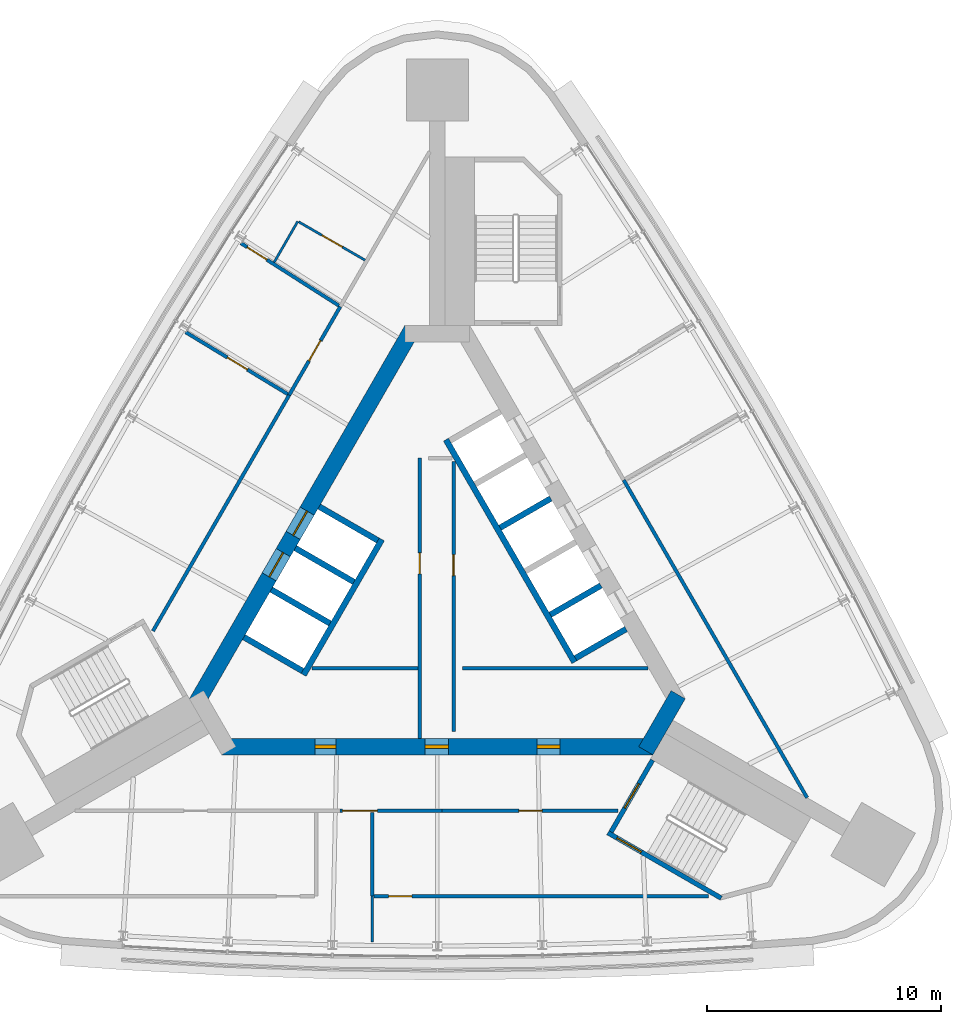
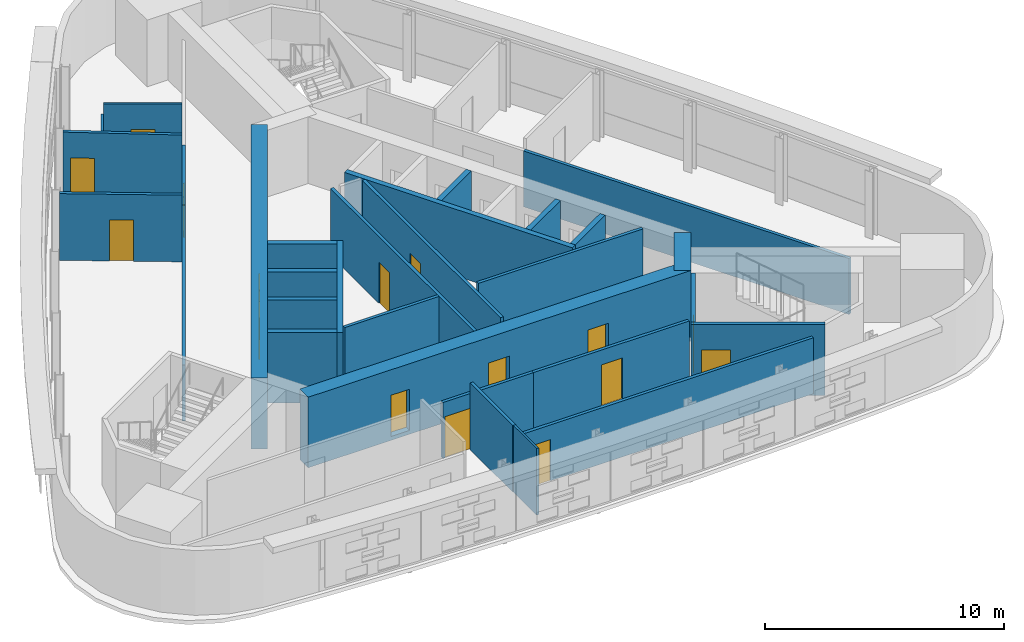
# One storey, part 7 of 11: 30 walls, 16 doors, 16 openings.
"""IFC4 building model written with IfcOpenShell, lengths in metres."""

from ifc_helpers import new_model, si_unit, direction, frame, frame_2d, origin, place, context, subcontext, project, spatial, rectangle, extrude, material, layer, layer_set, type_object, element, fill, save


model = new_model("IFC4")

# Units and contexts
model_context = context("Model", 3, precision=1e-05, world=origin(), true_north=direction((0.0, 1.0)))
body_context = subcontext(model_context, "Body", "Model", "MODEL_VIEW")
ifc_project = project(units=[si_unit("LENGTHUNIT", "METRE"), si_unit("AREAUNIT", "SQUARE_METRE"), si_unit("VOLUMEUNIT", "CUBIC_METRE"), si_unit("PLANEANGLEUNIT", "RADIAN"), si_unit("MASSUNIT", "GRAM", prefix="KILO")], contexts=[model_context])

# Site, building, storey
site_placement = place(None, origin())
site = spatial("IfcSite", under=ifc_project, at=site_placement, CompositionType="ELEMENT")
building_placement = place(site_placement, origin())
building = spatial("IfcBuilding", under=site, at=building_placement, Name="Noor Cloister Tower", CompositionType="ELEMENT")
storey_placement = place(building_placement, frame((0.0, 0.0, 203.10009765625)))
storey = spatial("IfcBuildingStorey", under=building, at=storey_placement, Name="L52", CompositionType="ELEMENT", Elevation=203.10009765625)

# Wall
ifc_material_1 = material(Name="Concrete C30/37", Category="concrete")
ifc_layer_1 = layer(ifc_material_1, 0.14990234375)
ifc_layer_set_1 = layer_set([ifc_layer_1], Name="Core partition 150 C30/37")
wall_type_1 = type_object("IfcWallType", Name="Core partition 150 C30/37", PredefinedType="PARTITIONING", material=ifc_layer_set_1)
wall_1_placement = place(storey_placement, frame((-5.373291015625, -3.228271484375, 0.0), z_axis=(0.0, 0.0, 1.0), x_axis=(1.0, 0.0, 0.0)))
element("IfcWall", 1, at=wall_1_placement, inside=storey, type_object=wall_type_1, Name="Core room partition L52 1", PredefinedType="PARTITIONING", context=body_context, shape_type="SweptSolid", body=[
    extrude(rectangle(XDim=4.544677734375, YDim=0.14990234375, at=frame_2d((2.2724609375, 0.0))), origin(), (0.0, 0.0, 1.0), 3.39990234375),
])

# Wall, opening, door
wall_2_placement = place(storey_placement, frame((-0.753662109375, 5.771728515625, 0.0), z_axis=(0.0, 0.0, 1.0), x_axis=(0.0, -1.0, 0.0)))
wall_2 = element("IfcWall", 2, at=wall_2_placement, inside=storey, type_object=wall_type_1, Name="Core room partition L52 2", PredefinedType="PARTITIONING", context=body_context, shape_type="SweptSolid", body=[
    extrude(rectangle(XDim=12.0, YDim=0.14990234375, at=frame_2d((6.0, 0.0))), origin(), (0.0, 0.0, 1.0), 3.39990234375),
])
opening_1_placement = place(wall_2_placement, frame((4.051025390625, 0.0, 0.0)))
opening_1 = element("IfcOpeningElement", 3, at=opening_1_placement, cuts=wall_2, Name="Opening L52-904", PredefinedType="OPENING", context=body_context, shape_type="SweptSolid", body=[
    extrude(rectangle(XDim=0.89990234375, YDim=2.10009765625, at=frame_2d((0.449951171875, 1.050048828125))), frame((0.0, 0.0849609375, 0.0), z_axis=(0.0, -1.0, 0.0), x_axis=(1.0, 0.0, 0.0)), (0.0, 0.0, 1.0), 0.169921875),
])
ifc_material_2 = material(Name="Steel", Category="steel")
door_type_1 = type_object("IfcDoorType", Name="Core door 900 x 2100 FD120", OperationType="SINGLE_SWING_LEFT", PredefinedType="DOOR", material=ifc_material_2)
door_1_placement = place(opening_1_placement, origin())
door_1 = element("IfcDoor", 4, at=door_1_placement, inside=storey, type_object=door_type_1, Name="Core door 4 L52", OperationType="SINGLE_SWING_RIGHT", OverallHeight=2.10009765625, OverallWidth=0.89990234375, PredefinedType="DOOR", context=body_context, shape_type="SweptSolid", body=[
    extrude(rectangle(XDim=0.89990234375, YDim=2.10009765625, at=frame_2d((0.449951171875, 1.050048828125))), frame((0.0, 0.02490234375, 0.0), z_axis=(0.0, -1.0, 0.0), x_axis=(1.0, 0.0, 0.0)), (0.0, 0.0, 1.0), 0.050048828125),
])
fill(opening_1, door_1)

wall_3_placement = place(storey_placement, frame((0.6962890625, -5.92822265625, 0.0), z_axis=(0.0, 0.0, 1.0), x_axis=(0.0, 1.0, 0.0)))
wall_3 = element("IfcWall", 5, at=wall_3_placement, inside=storey, type_object=wall_type_1, Name="Core room partition L52 4", PredefinedType="PARTITIONING", context=body_context, shape_type="SweptSolid", body=[
    extrude(rectangle(XDim=11.548583984375, YDim=0.14990234375, at=frame_2d((5.7744140625, 0.0))), origin(), (0.0, 0.0, 1.0), 3.39990234375),
])
opening_2_placement = place(wall_3_placement, frame((6.67333984375, 0.0, 0.0)))
opening_2 = element("IfcOpeningElement", 6, at=opening_2_placement, cuts=wall_3, Name="Opening L52-905", PredefinedType="OPENING", context=body_context, shape_type="SweptSolid", body=[
    extrude(rectangle(XDim=0.89990234375, YDim=2.10009765625, at=frame_2d((0.449951171875, 1.050048828125))), frame((0.0, 0.0849609375, 0.0), z_axis=(0.0, -1.0, 0.0), x_axis=(1.0, 0.0, 0.0)), (0.0, 0.0, 1.0), 0.169921875),
])
door_2_placement = place(opening_2_placement, origin())
door_2 = element("IfcDoor", 7, at=door_2_placement, inside=storey, type_object=door_type_1, Name="Core door 5 L52", OperationType="SINGLE_SWING_LEFT", OverallHeight=2.10009765625, OverallWidth=0.89990234375, PredefinedType="DOOR", context=body_context, shape_type="SweptSolid", body=[
    extrude(rectangle(XDim=0.89990234375, YDim=2.10009765625, at=frame_2d((0.449951171875, 1.050048828125))), frame((0.0, 0.02490234375, 0.0), z_axis=(0.0, -1.0, 0.0), x_axis=(1.0, 0.0, 0.0)), (0.0, 0.0, 1.0), 0.050048828125),
])
fill(opening_2, door_2)

# Wall
wall_4_placement = place(storey_placement, frame((1.0712890625, -3.228271484375, 0.0), z_axis=(0.0, 0.0, 1.0), x_axis=(1.0, 0.0, 0.0)))
element("IfcWall", 8, at=wall_4_placement, inside=storey, type_object=wall_type_1, Name="Core room partition L52 5", PredefinedType="PARTITIONING", context=body_context, shape_type="SweptSolid", body=[
    extrude(rectangle(XDim=7.939208984375, YDim=0.14990234375, at=frame_2d((3.9697265625, 0.0))), origin(), (0.0, 0.0, 1.0), 3.39990234375),
])

# Wall, openings, doors
ifc_material_3 = material(Name="Concrete C70/85", Category="concrete")
ifc_layer_2 = layer(ifc_material_3, 0.699951171875)
ifc_layer_set_2 = layer_set([ifc_layer_2], Name="Core wall 700 C70/85")
wall_type_2 = type_object("IfcWallType", Name="Core wall 700 C70/85", PredefinedType="SHEAR", material=ifc_layer_set_2)
wall_5_placement = place(storey_placement, frame((-9.228759765625, -6.578125, -0.2001953125), z_axis=(0.0, 0.0, 1.0), x_axis=(1.0, 0.0, 0.0)))
wall_5 = element("IfcWall", 9, at=wall_5_placement, inside=storey, type_object=wall_type_2, Name="Core wall L52 1", PredefinedType="SHEAR", context=body_context, shape_type="SweptSolid", body=[
    extrude(rectangle(XDim=18.45751953125, YDim=0.699951171875, at=frame_2d((9.228759765625, 0.0))), origin(), (0.0, 0.0, 1.0), 3.60009765625),
])
opening_3_placement = place(wall_5_placement, frame((8.699951171875, 0.0, 0.199951171875)))
opening_3 = element("IfcOpeningElement", 10, at=opening_3_placement, cuts=wall_5, Name="Opening L52-901", PredefinedType="OPENING", context=body_context, shape_type="SweptSolid", body=[
    extrude(rectangle(XDim=1.0, YDim=2.10009765625, at=frame_2d((0.5, 1.050048828125))), frame((0.0, 0.35986328125, 0.0), z_axis=(0.0, -1.0, 0.0), x_axis=(1.0, 0.0, 0.0)), (0.0, 0.0, 1.0), 0.719970703125),
])
opening_4_placement = place(wall_5_placement, frame((3.989501953125, 0.0, 0.199951171875)))
opening_4 = element("IfcOpeningElement", 11, at=opening_4_placement, cuts=wall_5, Name="Opening L52-902", PredefinedType="OPENING", context=body_context, shape_type="SweptSolid", body=[
    extrude(rectangle(XDim=0.89990234375, YDim=2.10009765625, at=frame_2d((0.449951171875, 1.050048828125))), frame((0.0, 0.35986328125, 0.0), z_axis=(0.0, -1.0, 0.0), x_axis=(1.0, 0.0, 0.0)), (0.0, 0.0, 1.0), 0.719970703125),
])
opening_5_placement = place(wall_5_placement, frame((13.489013671875, 0.0, 0.199951171875)))
opening_5 = element("IfcOpeningElement", 12, at=opening_5_placement, cuts=wall_5, Name="Opening L52-903", PredefinedType="OPENING", context=body_context, shape_type="SweptSolid", body=[
    extrude(rectangle(XDim=1.0, YDim=2.10009765625, at=frame_2d((0.5, 1.050048828125))), frame((0.0, 0.35986328125, 0.0), z_axis=(0.0, -1.0, 0.0), x_axis=(1.0, 0.0, 0.0)), (0.0, 0.0, 1.0), 0.719970703125),
])
ifc_material_4 = material(Name="Steel", Category="steel")
door_type_2 = type_object("IfcDoorType", Name="Core door 1000 x 2100 FD120", OperationType="SINGLE_SWING_LEFT", PredefinedType="DOOR", material=ifc_material_4)
door_3_placement = place(opening_3_placement, origin())
door_3 = element("IfcDoor", 13, at=door_3_placement, inside=storey, type_object=door_type_2, Name="Core door 1 L52", OperationType="SINGLE_SWING_LEFT", OverallHeight=2.10009765625, OverallWidth=1.0, PredefinedType="DOOR", context=body_context, shape_type="SweptSolid", body=[
    extrude(rectangle(XDim=1.0, YDim=2.10009765625, at=frame_2d((0.5, 1.050048828125))), frame((0.0, 0.074951171875, 0.0), z_axis=(0.0, -1.0, 0.0), x_axis=(1.0, 0.0, 0.0)), (0.0, 0.0, 1.0), 0.14990234375),
])
fill(opening_3, door_3)
ifc_material_5 = material(Name="Steel", Category="steel")
door_type_3 = type_object("IfcDoorType", Name="Core door 1000 x 2100 FD60", OperationType="SINGLE_SWING_LEFT", PredefinedType="DOOR", material=ifc_material_5)
door_4_placement = place(opening_5_placement, origin())
door_4 = element("IfcDoor", 14, at=door_4_placement, inside=storey, type_object=door_type_3, Name="Core door 3 L52", OperationType="SINGLE_SWING_LEFT", OverallHeight=2.10009765625, OverallWidth=1.0, PredefinedType="DOOR", context=body_context, shape_type="SweptSolid", body=[
    extrude(rectangle(XDim=1.0, YDim=2.10009765625, at=frame_2d((0.5, 1.050048828125))), frame((0.0, 0.074951171875, 0.0), z_axis=(0.0, -1.0, 0.0), x_axis=(1.0, 0.0, 0.0)), (0.0, 0.0, 1.0), 0.14990234375),
])
fill(opening_5, door_4)
door_5_placement = place(opening_4_placement, origin())
door_5 = element("IfcDoor", 15, at=door_5_placement, inside=storey, type_object=door_type_1, Name="Core door 2 L52", OperationType="SINGLE_SWING_RIGHT", OverallHeight=2.10009765625, OverallWidth=0.89990234375, PredefinedType="DOOR", context=body_context, shape_type="SweptSolid", body=[
    extrude(rectangle(XDim=0.89990234375, YDim=2.10009765625, at=frame_2d((0.449951171875, 1.050048828125))), frame((0.0, 0.074951171875, 0.0), z_axis=(0.0, -1.0, 0.0), x_axis=(1.0, 0.0, 0.0)), (0.0, 0.0, 1.0), 0.14990234375),
])
fill(opening_4, door_5)

# Wall
wall_6_placement = place(storey_placement, frame((8.925537109375, -6.753173828125, -0.2001953125), z_axis=(0.0, 0.0, 1.0), x_axis=(0.500042739161, 0.866000726912, 0.0)))
element("IfcWall", 16, at=wall_6_placement, inside=storey, type_object=wall_type_2, Name="Core wall L52 2", PredefinedType="SHEAR", context=body_context, shape_type="SweptSolid", body=[
    extrude(rectangle(XDim=2.771240234375, YDim=0.699951171875, at=frame_2d((1.3857421875, 0.0))), origin(), (0.0, 0.0, 1.0), 3.60009765625),
])

# Wall, openings, doors
wall_7_placement = place(storey_placement, frame((-1.08251953125, 11.281494140625, -0.2001953125), z_axis=(0.0, 0.0, 1.0), x_axis=(-0.500001446645, -0.866024568562, 0.0)))
wall_7 = element("IfcWall", 17, at=wall_7_placement, inside=storey, type_object=wall_type_2, Name="Core wall L52 5", PredefinedType="SHEAR", context=body_context, shape_type="SweptSolid", body=[
    extrude(rectangle(XDim=18.45751953125, YDim=0.699951171875, at=frame_2d((9.228759765625, 0.0))), origin(), (0.0, 0.0, 1.0), 3.60009765625),
])
opening_6_placement = place(wall_7_placement, frame((8.978759765625, 0.0, 0.199951171875)))
opening_6 = element("IfcOpeningElement", 18, at=opening_6_placement, cuts=wall_7, Name="Opening L52-FF1", PredefinedType="OPENING", context=body_context, shape_type="SweptSolid", body=[
    extrude(rectangle(XDim=1.199951171875, YDim=2.10009765625, at=frame_2d((0.60009765625, 1.050048828125))), frame((0.0, 0.35986328125, 0.0), z_axis=(0.0, -1.0, 0.0), x_axis=(1.0, 0.0, 0.0)), (0.0, 0.0, 1.0), 0.719970703125),
])
opening_7_placement = place(wall_7_placement, frame((11.02880859375, 0.0, 0.199951171875)))
opening_7 = element("IfcOpeningElement", 19, at=opening_7_placement, cuts=wall_7, Name="Opening L52-FF2", PredefinedType="OPENING", context=body_context, shape_type="SweptSolid", body=[
    extrude(rectangle(XDim=1.199951171875, YDim=2.10009765625, at=frame_2d((0.60009765625, 1.050048828125))), frame((0.0, 0.35986328125, 0.0), z_axis=(0.0, -1.0, 0.0), x_axis=(1.0, 0.0, 0.0)), (0.0, 0.0, 1.0), 0.719970703125),
])
ifc_material_6 = material(Name="Stainless steel", Category="steel")
door_type_4 = type_object("IfcDoorType", Name="Lift landing door 1200 x 2100", OperationType="DOUBLE_DOOR_SLIDING", PredefinedType="DOOR", material=ifc_material_6)
door_6_placement = place(opening_6_placement, origin())
door_6 = element("IfcDoor", 20, at=door_6_placement, inside=storey, type_object=door_type_4, Name="Landing door FF1 L52", OperationType="DOUBLE_DOOR_SLIDING", OverallHeight=2.10009765625, OverallWidth=1.199951171875, PredefinedType="DOOR", context=body_context, shape_type="SweptSolid", body=[
    extrude(rectangle(XDim=1.199951171875, YDim=2.10009765625, at=frame_2d((0.60009765625, 1.050048828125))), frame((0.0, 0.02490234375, 0.0), z_axis=(0.0, -1.0, 0.0), x_axis=(1.0, 0.0, 0.0)), (0.0, 0.0, 1.0), 0.050048828125),
])
fill(opening_6, door_6)
door_7_placement = place(opening_7_placement, origin())
door_7 = element("IfcDoor", 21, at=door_7_placement, inside=storey, type_object=door_type_4, Name="Landing door FF2 L52", OperationType="DOUBLE_DOOR_SLIDING", OverallHeight=2.10009765625, OverallWidth=1.199951171875, PredefinedType="DOOR", context=body_context, shape_type="SweptSolid", body=[
    extrude(rectangle(XDim=1.199951171875, YDim=2.10009765625, at=frame_2d((0.60009765625, 1.050048828125))), frame((0.0, 0.02490234375, 0.0), z_axis=(0.0, -1.0, 0.0), x_axis=(1.0, 0.0, 0.0)), (0.0, 0.0, 1.0), 0.050048828125),
])
fill(opening_7, door_7)

# Wall
ifc_material_7 = material(Name="Fire-rated gypsum board partition on steel studs, 150 mm", Category="steel")
ifc_layer_3 = layer(ifc_material_7, 0.14990234375)
ifc_layer_set_3 = layer_set([ifc_layer_3], Name="Fire lobby wall 150")
wall_type_3 = type_object("IfcWallType", Name="Fire lobby wall 150", PredefinedType="PARTITIONING", material=ifc_layer_set_3)
wall_8_placement = place(storey_placement, frame((-6.339599609375, 8.47607421875, 0.0), z_axis=(0.0, 0.0, 1.0), x_axis=(-0.499987514004, -0.866032612458, 0.0)))
element("IfcWall", 22, at=wall_8_placement, inside=storey, type_object=wall_type_3, Name="Wall L52-W15", PredefinedType="PARTITIONING", context=body_context, shape_type="SweptSolid", body=[
    extrude(rectangle(XDim=11.667236328125, YDim=0.14990234375, at=frame_2d((5.83349609375, 0.0))), origin(), (0.0, 0.0, 1.0), 2.851806640625),
])

# Wall, opening, door
wall_9_placement = place(storey_placement, frame((-4.152099609375, 12.2646484375, 0.0), z_axis=(0.0, 0.0, 1.0), x_axis=(-0.500028399337, -0.866009006799, 0.0)))
wall_9 = element("IfcWall", 23, at=wall_9_placement, inside=storey, type_object=wall_type_3, Name="Wall L52-W18", PredefinedType="PARTITIONING", context=body_context, shape_type="SweptSolid", body=[
    extrude(rectangle(XDim=4.374755859375, YDim=0.14990234375, at=frame_2d((2.1875, 0.0))), origin(), (0.0, 0.0, 1.0), 2.851806640625),
])
opening_8_placement = place(wall_9_placement, frame((1.687255859375, 0.0, 0.0)))
opening_8 = element("IfcOpeningElement", 24, at=opening_8_placement, cuts=wall_9, Name="Opening L52-009", PredefinedType="OPENING", context=body_context, shape_type="SweptSolid", body=[
    extrude(rectangle(XDim=1.0, YDim=2.10009765625, at=frame_2d((0.5, 1.050048828125))), frame((0.0, 0.0849609375, 0.0), z_axis=(0.0, -1.0, 0.0), x_axis=(1.0, 0.0, 0.0)), (0.0, 0.0, 1.0), 0.169921875),
])
ifc_material_8 = material(Name="Timber door leaf with steel frame", Category="steel")
door_type_5 = type_object("IfcDoorType", Name="Fire lobby door 1000", OperationType="NOTDEFINED", PredefinedType="DOOR", material=ifc_material_8)
door_8_placement = place(opening_8_placement, origin())
door_8 = element("IfcDoor", 25, at=door_8_placement, inside=storey, type_object=door_type_5, Name="Door L52-009", OperationType="SINGLE_SWING_LEFT", OverallHeight=2.10009765625, OverallWidth=1.0, PredefinedType="DOOR", context=body_context, shape_type="SweptSolid", body=[
    extrude(rectangle(XDim=1.0, YDim=2.10009765625, at=frame_2d((0.5, 1.050048828125))), frame((0.0, 0.02490234375, 0.0), z_axis=(0.0, -1.0, 0.0), x_axis=(1.0, 0.0, 0.0)), (0.0, 0.0, 1.0), 0.050048828125),
])
fill(opening_8, door_8)

# Wall
ifc_material_9 = material(Name="Gypsum board partition on steel studs, 150 mm", Category="steel")
ifc_layer_4 = layer(ifc_material_9, 0.14990234375)
ifc_layer_set_4 = layer_set([ifc_layer_4], Name="Flat wall 150")
wall_type_4 = type_object("IfcWallType", Name="Flat wall 150", PredefinedType="PARTITIONING", material=ifc_layer_set_4)
wall_10_placement = place(storey_placement, frame((15.83203125, -8.765380859375, 0.0), z_axis=(0.0, 0.0, 1.0), x_axis=(-0.499997377664, 0.866026917785, 0.0)))
element("IfcWall", 26, at=wall_10_placement, inside=storey, type_object=wall_type_4, Name="Wall L52-W01", PredefinedType="PARTITIONING", context=body_context, shape_type="SweptSolid", body=[
    extrude(rectangle(XDim=15.70703125, YDim=0.14990234375, at=frame_2d((7.853515625, 0.0))), origin(), (0.0, 0.0, 1.0), 2.851806640625),
])

# Wall, opening, door
wall_11_placement = place(storey_placement, frame((0.199951171875, -9.328125, 0.0), z_axis=(0.0, 0.0, 1.0), x_axis=(1.0, 0.0, 0.0)))
wall_11 = element("IfcWall", 27, at=wall_11_placement, inside=storey, type_object=wall_type_4, Name="Wall L52-W07", PredefinedType="PARTITIONING", context=body_context, shape_type="SweptSolid", body=[
    extrude(rectangle(XDim=7.527587890625, YDim=0.14990234375, at=frame_2d((3.763671875, 0.0))), origin(), (0.0, 0.0, 1.0), 2.851806640625),
])
opening_9_placement = place(wall_11_placement, frame((3.288818359375, 0.0, 0.0)))
opening_9 = element("IfcOpeningElement", 28, at=opening_9_placement, cuts=wall_11, Name="Opening L52-008", PredefinedType="OPENING", context=body_context, shape_type="SweptSolid", body=[
    extrude(rectangle(XDim=1.0, YDim=2.10009765625, at=frame_2d((0.5, 1.050048828125))), frame((0.0, 0.0849609375, 0.0), z_axis=(0.0, -1.0, 0.0), x_axis=(1.0, 0.0, 0.0)), (0.0, 0.0, 1.0), 0.169921875),
])
ifc_material_10 = material(Name="Timber door leaf with steel frame", Category="steel")
door_type_6 = type_object("IfcDoorType", Name="Interior door 1000 FD60", OperationType="NOTDEFINED", PredefinedType="DOOR", material=ifc_material_10)
door_9_placement = place(opening_9_placement, origin())
door_9 = element("IfcDoor", 29, at=door_9_placement, inside=storey, type_object=door_type_6, Name="Door L52-008", OperationType="SINGLE_SWING_RIGHT", OverallHeight=2.10009765625, OverallWidth=1.0, PredefinedType="DOOR", context=body_context, shape_type="SweptSolid", body=[
    extrude(rectangle(XDim=1.0, YDim=2.10009765625, at=frame_2d((0.5, 1.050048828125))), frame((0.0, 0.02490234375, 0.0), z_axis=(0.0, -1.0, 0.0), x_axis=(1.0, 0.0, 0.0)), (0.0, 0.0, 1.0), 0.050048828125),
])
fill(opening_9, door_9)

wall_12_placement = place(storey_placement, frame((-4.161865234375, -9.328125, 0.0), z_axis=(0.0, 0.0, 1.0), x_axis=(1.0, 0.0, 0.0)))
wall_12 = element("IfcWall", 30, at=wall_12_placement, inside=storey, type_object=wall_type_4, Name="Wall L52-W08", PredefinedType="PARTITIONING", context=body_context, shape_type="SweptSolid", body=[
    extrude(rectangle(XDim=4.36181640625, YDim=0.14990234375, at=frame_2d((2.180908203125, 0.0))), origin(), (0.0, 0.0, 1.0), 2.851806640625),
])
opening_10_placement = place(wall_12_placement, frame((0.10009765625, 0.0, 0.0)))
opening_10 = element("IfcOpeningElement", 31, at=opening_10_placement, cuts=wall_12, Name="Opening L52-004", PredefinedType="OPENING", context=body_context, shape_type="SweptSolid", body=[
    extrude(rectangle(XDim=1.5, YDim=2.10009765625, at=frame_2d((0.75, 1.050048828125))), frame((0.0, 0.0849609375, 0.0), z_axis=(0.0, -1.0, 0.0), x_axis=(1.0, 0.0, 0.0)), (0.0, 0.0, 1.0), 0.169921875),
])
ifc_material_11 = material(Name="Timber door leaf with steel frame", Category="steel")
door_type_7 = type_object("IfcDoorType", Name="Double door 1500 FD60", OperationType="NOTDEFINED", PredefinedType="DOOR", material=ifc_material_11)
door_10_placement = place(opening_10_placement, origin())
door_10 = element("IfcDoor", 32, at=door_10_placement, inside=storey, type_object=door_type_7, Name="Door L52-004", OperationType="DOUBLE_DOOR_SINGLE_SWING", OverallHeight=2.10009765625, OverallWidth=1.5, PredefinedType="DOOR", context=body_context, shape_type="SweptSolid", body=[
    extrude(rectangle(XDim=1.5, YDim=2.10009765625, at=frame_2d((0.75, 1.050048828125))), frame((0.0, 0.02490234375, 0.0), z_axis=(0.0, -1.0, 0.0), x_axis=(1.0, 0.0, 0.0)), (0.0, 0.0, 1.0), 0.050048828125),
])
fill(opening_10, door_10)

# Wall
wall_13_placement = place(storey_placement, frame((-2.784423828125, -9.4033203125, 0.0), z_axis=(0.0, 0.0, 1.0), x_axis=(0.0, -1.0, 0.0)))
element("IfcWall", 33, at=wall_13_placement, inside=storey, type_object=wall_type_4, Name="Wall L52-W10", PredefinedType="PARTITIONING", context=body_context, shape_type="SweptSolid", body=[
    extrude(rectangle(XDim=3.5751953125, YDim=0.14990234375, at=frame_2d((1.78759765625, 0.0))), origin(), (0.0, 0.0, 1.0), 3.39990234375),
])

# Wall, opening, door
wall_14_placement = place(storey_placement, frame((-2.70947265625, -12.978515625, 0.0), z_axis=(0.0, 0.0, 1.0), x_axis=(1.0, 0.0, 0.0)))
wall_14 = element("IfcWall", 34, at=wall_14_placement, inside=storey, type_object=wall_type_4, Name="Wall L52-W13", PredefinedType="PARTITIONING", context=body_context, shape_type="SweptSolid", body=[
    extrude(rectangle(XDim=14.31787109375, YDim=0.14990234375, at=frame_2d((7.158935546875, 0.0))), origin(), (0.0, 0.0, 1.0), 2.851806640625),
])
opening_11_placement = place(wall_14_placement, frame((0.625, 0.0, 0.0)))
opening_11 = element("IfcOpeningElement", 35, at=opening_11_placement, cuts=wall_14, Name="Opening L52-007", PredefinedType="OPENING", context=body_context, shape_type="SweptSolid", body=[
    extrude(rectangle(XDim=1.0, YDim=2.10009765625, at=frame_2d((0.5, 1.050048828125))), frame((0.0, 0.0849609375, 0.0), z_axis=(0.0, -1.0, 0.0), x_axis=(1.0, 0.0, 0.0)), (0.0, 0.0, 1.0), 0.169921875),
])
door_11_placement = place(opening_11_placement, origin())
door_11 = element("IfcDoor", 36, at=door_11_placement, inside=storey, type_object=door_type_6, Name="Door L52-007", OperationType="SINGLE_SWING_LEFT", OverallHeight=2.10009765625, OverallWidth=1.0, PredefinedType="DOOR", context=body_context, shape_type="SweptSolid", body=[
    extrude(rectangle(XDim=1.0, YDim=2.10009765625, at=frame_2d((0.5, 1.050048828125))), frame((0.0, 0.02490234375, 0.0), z_axis=(0.0, -1.0, 0.0), x_axis=(1.0, 0.0, 0.0)), (0.0, 0.0, 1.0), 0.050048828125),
])
fill(opening_11, door_11)

wall_15_placement = place(storey_placement, frame((-8.4140625, 14.980712890625, 0.0), z_axis=(0.0, 0.0, 1.0), x_axis=(0.843295819546, -0.537449682051, 0.0)))
wall_15 = element("IfcWall", 37, at=wall_15_placement, inside=storey, type_object=wall_type_4, Name="Wall L52-W16", PredefinedType="PARTITIONING", context=body_context, shape_type="SweptSolid", body=[
    extrude(rectangle(XDim=4.978759765625, YDim=0.14990234375, at=frame_2d((2.4892578125, 0.0))), origin(), (0.0, 0.0, 1.0), 3.39990234375),
])
opening_12_placement = place(wall_15_placement, frame((0.3251953125, 0.0, 0.0)))
opening_12 = element("IfcOpeningElement", 38, at=opening_12_placement, cuts=wall_15, Name="Opening L52-011", PredefinedType="OPENING", context=body_context, shape_type="SweptSolid", body=[
    extrude(rectangle(XDim=1.0, YDim=2.10009765625, at=frame_2d((0.5, 1.050048828125))), frame((0.0, 0.0849609375, 0.0), z_axis=(0.0, -1.0, 0.0), x_axis=(1.0, 0.0, 0.0)), (0.0, 0.0, 1.0), 0.169921875),
])
ifc_material_12 = material(Name="Timber door leaf with steel frame", Category="steel")
door_type_8 = type_object("IfcDoorType", Name="Flat entrance door 1000", OperationType="NOTDEFINED", PredefinedType="DOOR", material=ifc_material_12)
door_12_placement = place(opening_12_placement, origin())
door_12 = element("IfcDoor", 39, at=door_12_placement, inside=storey, type_object=door_type_8, Name="Door L52-011", OperationType="SINGLE_SWING_LEFT", OverallHeight=2.10009765625, OverallWidth=1.0, PredefinedType="DOOR", context=body_context, shape_type="SweptSolid", body=[
    extrude(rectangle(XDim=1.0, YDim=2.10009765625, at=frame_2d((0.5, 1.050048828125))), frame((0.0, 0.02490234375, 0.0), z_axis=(0.0, -1.0, 0.0), x_axis=(1.0, 0.0, 0.0)), (0.0, 0.0, 1.0), 0.050048828125),
])
fill(opening_12, door_12)

wall_16_placement = place(storey_placement, frame((-10.77880859375, 11.170166015625, 0.0), z_axis=(0.0, 0.0, 1.0), x_axis=(0.854884995592, -0.518817544337, 0.0)))
wall_16 = element("IfcWall", 40, at=wall_16_placement, inside=storey, type_object=wall_type_4, Name="Wall L52-W17", PredefinedType="PARTITIONING", context=body_context, shape_type="SweptSolid", body=[
    extrude(rectangle(XDim=5.117919921875, YDim=0.14990234375, at=frame_2d((2.55908203125, 0.0))), origin(), (0.0, 0.0, 1.0), 3.39990234375),
])
opening_13_placement = place(wall_16_placement, frame((2.096435546875, 0.0, 0.0)))
opening_13 = element("IfcOpeningElement", 41, at=opening_13_placement, cuts=wall_16, Name="Opening L52-012", PredefinedType="OPENING", context=body_context, shape_type="SweptSolid", body=[
    extrude(rectangle(XDim=1.0, YDim=2.10009765625, at=frame_2d((0.5, 1.050048828125))), frame((0.0, 0.0849609375, 0.0), z_axis=(0.0, -1.0, 0.0), x_axis=(1.0, 0.0, 0.0)), (0.0, 0.0, 1.0), 0.169921875),
])
door_13_placement = place(opening_13_placement, origin())
door_13 = element("IfcDoor", 42, at=door_13_placement, inside=storey, type_object=door_type_6, Name="Door L52-012", OperationType="SINGLE_SWING_RIGHT", OverallHeight=2.10009765625, OverallWidth=1.0, PredefinedType="DOOR", context=body_context, shape_type="SweptSolid", body=[
    extrude(rectangle(XDim=1.0, YDim=2.10009765625, at=frame_2d((0.5, 1.050048828125))), frame((0.0, 0.02490234375, 0.0), z_axis=(0.0, -1.0, 0.0), x_axis=(1.0, 0.0, 0.0)), (0.0, 0.0, 1.0), 0.050048828125),
])
fill(opening_13, door_13)

# Walls
ifc_material_13 = material(Name="Gypsum board partition on steel studs, 100 mm", Category="steel")
ifc_layer_5 = layer(ifc_material_13, 0.10009765625)
ifc_layer_set_5 = layer_set([ifc_layer_5], Name="Partition 100")
wall_type_5 = type_object("IfcWallType", Name="Partition 100", PredefinedType="PARTITIONING", material=ifc_layer_set_5)
wall_17_placement = place(storey_placement, frame((-2.784423828125, -12.978515625, 0.0), z_axis=(0.0, 0.0, 1.0), x_axis=(0.0, -1.0, 0.0)))
element("IfcWall", 43, at=wall_17_placement, inside=storey, type_object=wall_type_5, Name="Wall L52-W11", PredefinedType="PARTITIONING", context=body_context, shape_type="SweptSolid", body=[
    extrude(rectangle(XDim=1.957763671875, YDim=0.10009765625, at=frame_2d((0.97900390625, 0.0))), origin(), (0.0, 0.0, 1.0), 3.39990234375),
])
wall_18_placement = place(storey_placement, frame((-6.984619140625, 14.15869140625, 0.0), z_axis=(0.0, 0.0, 1.0), x_axis=(0.499990325971, 0.866030989016, 0.0)))
element("IfcWall", 44, at=wall_18_placement, inside=storey, type_object=wall_type_5, Name="Wall L52-W19", PredefinedType="PARTITIONING", context=body_context, shape_type="SweptSolid", body=[
    extrude(rectangle(XDim=2.02490234375, YDim=0.10009765625, at=frame_2d((1.012451171875, 0.0))), origin(), (0.0, 0.0, 1.0), 2.851806640625),
])

# Wall, opening, door
wall_19_placement = place(storey_placement, frame((-5.928955078125, 15.88720703125, 0.0), z_axis=(0.0, 0.0, 1.0), x_axis=(0.866027924134, -0.499995634601, 0.0)))
wall_19 = element("IfcWall", 45, at=wall_19_placement, inside=storey, type_object=wall_type_5, Name="Wall L52-W20", PredefinedType="PARTITIONING", context=body_context, shape_type="SweptSolid", body=[
    extrude(rectangle(XDim=3.27490234375, YDim=0.10009765625, at=frame_2d((1.637451171875, 0.0))), origin(), (0.0, 0.0, 1.0), 3.39990234375),
])
opening_14_placement = place(wall_19_placement, frame((1.14990234375, 0.0, 0.0)))
opening_14 = element("IfcOpeningElement", 46, at=opening_14_placement, cuts=wall_19, Name="Opening L52-010", PredefinedType="OPENING", context=body_context, shape_type="SweptSolid", body=[
    extrude(rectangle(XDim=1.0, YDim=2.10009765625, at=frame_2d((0.5, 1.050048828125))), frame((0.0, 0.06005859375, 0.0), z_axis=(0.0, -1.0, 0.0), x_axis=(1.0, 0.0, 0.0)), (0.0, 0.0, 1.0), 0.1201171875),
])
ifc_material_14 = material(Name="Timber door leaf with steel frame", Category="steel")
door_type_9 = type_object("IfcDoorType", Name="Interior door 1000", OperationType="NOTDEFINED", PredefinedType="DOOR", material=ifc_material_14)
door_14_placement = place(opening_14_placement, origin())
door_14 = element("IfcDoor", 47, at=door_14_placement, inside=storey, type_object=door_type_9, Name="Door L52-010", OperationType="SINGLE_SWING_RIGHT", OverallHeight=2.10009765625, OverallWidth=1.0, PredefinedType="DOOR", context=body_context, shape_type="SweptSolid", body=[
    extrude(rectangle(XDim=1.0, YDim=2.10009765625, at=frame_2d((0.5, 1.050048828125))), frame((0.0, 0.02490234375, 0.0), z_axis=(0.0, -1.0, 0.0), x_axis=(1.0, 0.0, 0.0)), (0.0, 0.0, 1.0), 0.050048828125),
])
fill(opening_14, door_14)

# Walls
ifc_material_15 = material(Name="Concrete C70/85", Category="concrete")
ifc_layer_6 = layer(ifc_material_15, 0.25)
ifc_layer_set_6 = layer_set([ifc_layer_6], Name="Shaft wall 250 C70/85")
wall_type_6 = type_object("IfcWallType", Name="Shaft wall 250 C70/85", PredefinedType="PARTITIONING", material=ifc_layer_set_6)
for number, where, z_axis, x_axis, name in (
    (48, (8.081298828125, -1.540771484375, -0.2001953125), (0.0, 0.0, 1.0), (-0.866022959057, -0.500004234368, 0.0), "Lift shaft wall L52 NE 1"),
    (49, (7.00634765625, 0.3212890625, -0.2001953125), (0.0, 0.0, 1.0), (-0.866022959057, -0.500004234368, 0.0), "Lift shaft wall L52 NE 2"),
    (50, (4.856201171875, 4.045166015625, -0.2001953125), (0.0, 0.0, 1.0), (-0.866022959057, -0.500004234368, 0.0), "Lift shaft wall L52 NE 4"),
):
    element("IfcWall", number, at=place(storey_placement, frame(where, z_axis=z_axis, x_axis=x_axis)), inside=storey, type_object=wall_type_6, Name=name, PredefinedType="PARTITIONING", context=body_context, shape_type="SweptSolid", body=[
        extrude(rectangle(XDim=2.5, YDim=0.25, at=frame_2d((1.25, 0.0))), origin(), (0.0, 0.0, 1.0), 3.60009765625),
    ])
wall_20_placement = place(storey_placement, frame((5.870361328125, -2.96142578125, 0.0), z_axis=(0.0, 0.0, 1.0), x_axis=(-0.50000615651, 0.866021849293, 0.0)))
element("IfcWall", 51, at=wall_20_placement, inside=storey, type_object=wall_type_6, Name="Lift shaft back wall L52 NE", PredefinedType="PARTITIONING", context=body_context, shape_type="SweptSolid", body=[
    extrude(rectangle(XDim=10.999755859375, YDim=0.25, at=frame_2d((5.5, 0.0))), origin(), (0.0, 0.0, 1.0), 3.39990234375),
])
for number, where, z_axis, x_axis, name in (
    (52, (-5.056396484375, 3.69873046875, -0.2001953125), (0.0, 0.0, 1.0), (0.866032775405, -0.499987231761, 0.0), "Lift shaft wall L52 NW 3"),
    (53, (-6.081298828125, 1.92333984375, -0.2001953125), (0.0, 0.0, 1.0), (0.866032775405, -0.499987231761, 0.0), "Lift shaft wall L52 NW 4"),
    (54, (-7.106201171875, 0.14794921875, -0.2001953125), (0.0, 0.0, 1.0), (0.866032775405, -0.499987231761, 0.0), "Lift shaft wall L52 NW 5"),
    (55, (-8.28125, -1.88720703125, -0.2001953125), (0.0, 0.0, 1.0), (0.866032775405, -0.499987231761, 0.0), "Lift shaft wall L52 NW 6"),
):
    element("IfcWall", number, at=place(storey_placement, frame(where, z_axis=z_axis, x_axis=x_axis)), inside=storey, type_object=wall_type_6, Name=name, PredefinedType="PARTITIONING", context=body_context, shape_type="SweptSolid", body=[
        extrude(rectangle(XDim=2.89990234375, YDim=0.25, at=frame_2d((1.449951171875, 0.0))), origin(), (0.0, 0.0, 1.0), 3.60009765625),
    ])
wall_21_placement = place(storey_placement, frame((-2.3740234375, 2.29443359375, 0.0), z_axis=(0.0, 0.0, 1.0), x_axis=(-0.500003174267, -0.866023571113, 0.0)))
element("IfcWall", 56, at=wall_21_placement, inside=storey, type_object=wall_type_6, Name="Lift shaft back wall L52 NW", PredefinedType="PARTITIONING", context=body_context, shape_type="SweptSolid", body=[
    extrude(rectangle(XDim=6.7001953125, YDim=0.25, at=frame_2d((3.35009765625, 0.0))), origin(), (0.0, 0.0, 1.0), 3.39990234375),
])

# Wall, opening, door
ifc_material_16 = material(Name="Concrete C70/85", Category="concrete")
ifc_layer_7 = layer(ifc_material_16, 0.199951171875)
ifc_layer_set_7 = layer_set([ifc_layer_7], Name="Stair enclosure wall 200 C70/85")
wall_type_7 = type_object("IfcWallType", Name="Stair enclosure wall 200 C70/85", PredefinedType="SHEAR", material=ifc_layer_set_7)
wall_22_placement = place(storey_placement, frame((7.440185546875, -10.225830078125, -0.2001953125), z_axis=(0.0, 0.0, 1.0), x_axis=(0.500022077904, 0.866012656725, 0.0)))
wall_22 = element("IfcWall", 57, at=wall_22_placement, inside=storey, type_object=wall_type_7, Name="Stair enclosure wall ST3 L52 near end", PredefinedType="SHEAR", context=body_context, shape_type="SweptSolid", body=[
    extrude(rectangle(XDim=3.550048828125, YDim=0.199951171875, at=frame_2d((1.77490234375, 0.0))), origin(), (0.0, 0.0, 1.0), 3.60009765625),
])
opening_15_placement = place(wall_22_placement, frame((1.175048828125, 0.0, 0.199951171875)))
opening_15 = element("IfcOpeningElement", 58, at=opening_15_placement, cuts=wall_22, Name="Opening L52-ST3L", PredefinedType="OPENING", context=body_context, shape_type="SweptSolid", body=[
    extrude(rectangle(XDim=1.199951171875, YDim=2.10009765625, at=frame_2d((0.60009765625, 1.050048828125))), frame((0.0, 0.10986328125, 0.0), z_axis=(0.0, -1.0, 0.0), x_axis=(1.0, 0.0, 0.0)), (0.0, 0.0, 1.0), 0.219970703125),
])
ifc_material_17 = material(Name="Steel", Category="steel")
door_type_10 = type_object("IfcDoorType", Name="Stair door 1200 x 2100 FD120", OperationType="SINGLE_SWING_LEFT", PredefinedType="DOOR", material=ifc_material_17)
door_15_placement = place(opening_15_placement, origin())
door_15 = element("IfcDoor", 59, at=door_15_placement, inside=storey, type_object=door_type_10, Name="Stair door ST3 L52", OperationType="SINGLE_SWING_RIGHT", OverallHeight=2.10009765625, OverallWidth=1.199951171875, PredefinedType="DOOR", context=body_context, shape_type="SweptSolid", body=[
    extrude(rectangle(XDim=1.199951171875, YDim=2.10009765625, at=frame_2d((0.60009765625, 1.050048828125))), frame((0.0, 0.02490234375, 0.0), z_axis=(0.0, -1.0, 0.0), x_axis=(1.0, 0.0, 0.0)), (0.0, 0.0, 1.0), 0.050048828125),
])
fill(opening_15, door_15)

wall_23_placement = place(storey_placement, frame((7.3037109375, -10.262451171875, -0.2001953125), z_axis=(0.0, 0.0, 1.0), x_axis=(0.866026594901, -0.49999793692, 0.0)))
wall_23 = element("IfcWall", 60, at=wall_23_placement, inside=storey, type_object=wall_type_7, Name="Stair enclosure wall ST3 L52 outer side", PredefinedType="SHEAR", context=body_context, shape_type="SweptSolid", body=[
    extrude(rectangle(XDim=5.60009765625, YDim=0.199951171875, at=frame_2d((2.800048828125, 0.0))), origin(), (0.0, 0.0, 1.0), 3.60009765625),
])
opening_16_placement = place(wall_23_placement, frame((0.449951171875, 0.0, 0.199951171875)))
opening_16 = element("IfcOpeningElement", 61, at=opening_16_placement, cuts=wall_23, Name="Opening L52-ST3C", PredefinedType="OPENING", context=body_context, shape_type="SweptSolid", body=[
    extrude(rectangle(XDim=1.199951171875, YDim=2.10009765625, at=frame_2d((0.60009765625, 1.050048828125))), frame((0.0, 0.10986328125, 0.0), z_axis=(0.0, -1.0, 0.0), x_axis=(1.0, 0.0, 0.0)), (0.0, 0.0, 1.0), 0.219970703125),
])
door_16_placement = place(opening_16_placement, origin())
door_16 = element("IfcDoor", 62, at=door_16_placement, inside=storey, type_object=door_type_10, Name="Stair door ST3 L52", OperationType="SINGLE_SWING_LEFT", OverallHeight=2.10009765625, OverallWidth=1.199951171875, PredefinedType="DOOR", context=body_context, shape_type="SweptSolid", body=[
    extrude(rectangle(XDim=1.199951171875, YDim=2.10009765625, at=frame_2d((0.60009765625, 1.050048828125))), frame((0.0, 0.02490234375, 0.0), z_axis=(0.0, -1.0, 0.0), x_axis=(1.0, 0.0, 0.0)), (0.0, 0.0, 1.0), 0.050048828125),
])
fill(opening_16, door_16)

save(model, "model.ifc")
